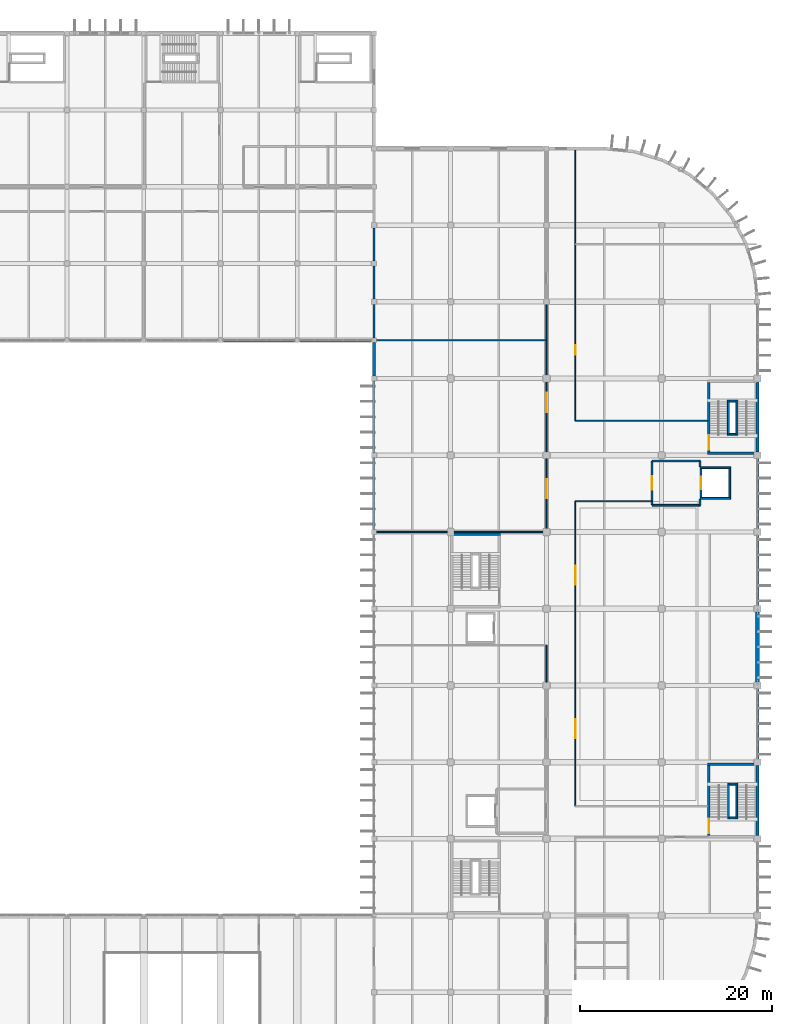
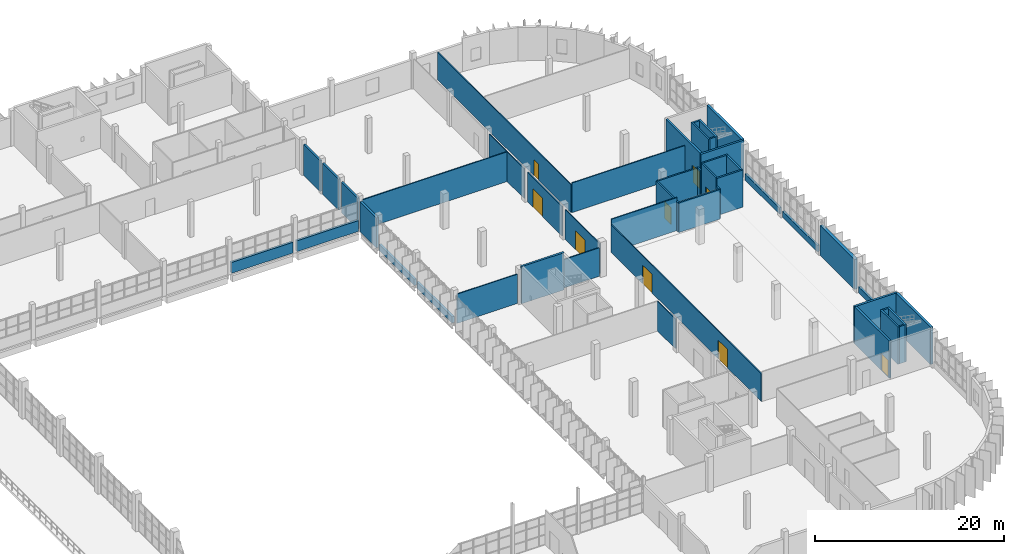
# One storey, part 75 of 93: 47 walls, 9 doors, 9 openings.
"""IFC4 building model written with IfcOpenShell, lengths in metres."""

from ifc_helpers import new_model, si_unit, direction, frame, frame_2d, origin, place, context, subcontext, project, spatial, rectangle, extrude, material, layer, layer_set, type_object, element, fill, save


model = new_model("IFC4")

# Units and contexts
model_context = context("Model", 3, precision=1e-05, world=origin(), true_north=direction((0.0, 1.0)))
body_context = subcontext(model_context, "Body", "Model", "MODEL_VIEW")
ifc_project = project(units=[si_unit("LENGTHUNIT", "METRE"), si_unit("AREAUNIT", "SQUARE_METRE"), si_unit("VOLUMEUNIT", "CUBIC_METRE"), si_unit("PLANEANGLEUNIT", "RADIAN"), si_unit("MASSUNIT", "GRAM", prefix="KILO")], contexts=[model_context])

# Site, building, storey
site_placement = place(None, origin())
site = spatial("IfcSite", under=ifc_project, at=site_placement, CompositionType="ELEMENT")
building_placement = place(site_placement, origin())
building = spatial("IfcBuilding", under=site, at=building_placement, Name="Drelvana Railside Aquatics Centre", CompositionType="ELEMENT")
storey_placement = place(building_placement, frame((0.0, 0.0, 5.39990234375)))
storey = spatial("IfcBuildingStorey", under=building, at=storey_placement, Name="L01", CompositionType="ELEMENT", Elevation=5.39990234375)

# Walls
ifc_material_1 = material(Name="Concrete blockwork compartment wall", Category="masonry")
ifc_layer_1 = layer(ifc_material_1, 0.18505859375, Name="Concrete blockwork compartment wall")
ifc_layer_set_1 = layer_set([ifc_layer_1], Name="Concrete blockwork compartment wall")
wall_type_1 = type_object("IfcWallType", Name="WL-COMP-185", PredefinedType="STANDARD", material=ifc_layer_set_1)
for number, where, z_axis, x_axis, name in (
    (1, (178.0, 66.800048828125, 0.0), (0.0, 0.0, 1.0), (-1.0, 0.0, 0.0), "Firefighting lobby FL-02 S wall (L01)"),
    (2, (173.0, 71.39990234375, 0.0), (0.0, 0.0, 1.0), (1.0, 0.0, 0.0), "Firefighting lobby FL-02 N wall (L01)"),
):
    element("IfcWall", number, at=place(storey_placement, frame(where, z_axis=z_axis, x_axis=x_axis)), inside=storey, type_object=wall_type_1, Name=name, PredefinedType="STANDARD", context=body_context, shape_type="SweptSolid", body=[
        extrude(rectangle(XDim=5.0, YDim=0.18505859375, at=frame_2d((2.5, 0.0))), origin(), (0.0, 0.0, 1.0), 3.830078125),
    ])

# Wall, opening, door
wall_1_placement = place(storey_placement, frame((173.0, 66.800048828125, 0.0), z_axis=(0.0, 0.0, 1.0), x_axis=(0.0, 1.0, 0.0)))
wall_1 = element("IfcWall", 3, at=wall_1_placement, inside=storey, type_object=wall_type_1, Name="Firefighting lobby FL-02 COR wall (L01)", PredefinedType="STANDARD", context=body_context, shape_type="SweptSolid", body=[
    extrude(rectangle(XDim=4.599853515625, YDim=0.18505859375, at=frame_2d((2.2998046875, 0.0))), origin(), (0.0, 0.0, 1.0), 3.830078125),
])
opening_1_placement = place(wall_1_placement, frame((1.60009765625, 0.0, 0.0)))
opening_1 = element("IfcOpeningElement", 4, at=opening_1_placement, cuts=wall_1, Name="Opening D-03-064", PredefinedType="OPENING", context=body_context, shape_type="SweptSolid", body=[
    extrude(rectangle(XDim=1.39990234375, YDim=2.199951171875, at=frame_2d((0.699951171875, 1.10009765625))), frame((0.0, 0.1025390625, 0.0), z_axis=(0.0, -1.0, 0.0), x_axis=(1.0, 0.0, 0.0)), (0.0, 0.0, 1.0), 0.205078125),
])
ifc_material_2 = material(Name="Firefighting lobby door", Category="wood")
door_type_1 = type_object("IfcDoorType", Name="DR-INT-FFLOB-1400x2200", OperationType="DOUBLE_DOOR_SINGLE_SWING", PredefinedType="DOOR", material=ifc_material_2)
door_1_placement = place(opening_1_placement, origin())
door_1 = element("IfcDoor", 5, at=door_1_placement, inside=storey, type_object=door_type_1, Name="Firefighting lobby FL-02 door D-03-064", OperationType="DOUBLE_DOOR_SINGLE_SWING", OverallHeight=2.199951171875, OverallWidth=1.39990234375, PredefinedType="DOOR", context=body_context, shape_type="SweptSolid", body=[
    extrude(rectangle(XDim=1.39990234375, YDim=2.199951171875, at=frame_2d((0.699951171875, 1.10009765625))), frame((0.0, 0.02490234375, 0.0), z_axis=(0.0, -1.0, 0.0), x_axis=(1.0, 0.0, 0.0)), (0.0, 0.0, 1.0), 0.050048828125),
])
fill(opening_1, door_1)

# Walls
for number, where, z_axis, x_axis, name in (
    (6, (178.0, 66.800048828125, 0.0), (0.0, 0.0, 1.0), (0.0, 1.0, 0.0), "Firefighting lobby FL-02 SHS wall (L01)"),
    (7, (178.0, 70.800048828125, 0.0), (0.0, 0.0, 1.0), (0.0, 1.0, 0.0), "Firefighting lobby FL-02 SHN wall (L01)"),
):
    element("IfcWall", number, at=place(storey_placement, frame(where, z_axis=z_axis, x_axis=x_axis)), inside=storey, type_object=wall_type_1, Name=name, PredefinedType="STANDARD", context=body_context, shape_type="SweptSolid", body=[
        extrude(rectangle(XDim=0.599853515625, YDim=0.18505859375, at=frame_2d((0.2998046875, 0.0))), origin(), (0.0, 0.0, 1.0), 3.830078125),
    ])
ifc_material_3 = material(Name="Autoclaved aerated concrete masonry", Category="masonry")
ifc_layer_2 = layer(ifc_material_3, 0.22509765625, Name="Autoclaved aerated concrete masonry")
ifc_layer_set_2 = layer_set([ifc_layer_2], Name="Autoclaved aerated concrete masonry")
wall_type_2 = type_object("IfcWallType", Name="WL-COMP-225", PredefinedType="STANDARD", material=ifc_layer_set_2)
for number, where, z_axis, x_axis, name in (
    (8, (144.0, 84.251953125, 0.0), (0.0, 0.0, 1.0), (0.0, 1.0, 0.0), "L01 Changing-Wing compartment wall"),
    (9, (144.0, 88.277099609375, 0.0), (0.0, 0.0, 1.0), (0.0, 1.0, 0.0), "L01 Changing-Wing compartment wall"),
    (10, (144.0, 92.251953125, 0.0), (0.0, 0.0, 1.0), (0.0, 1.0, 0.0), "L01 Changing-Wing compartment wall"),
):
    element("IfcWall", number, at=place(storey_placement, frame(where, z_axis=z_axis, x_axis=x_axis)), inside=storey, type_object=wall_type_2, Name=name, PredefinedType="STANDARD", context=body_context, shape_type="SweptSolid", body=[
        extrude(rectangle(XDim=3.470947265625, YDim=0.22509765625, at=frame_2d((1.7353515625, 0.0))), origin(), (0.0, 0.0, 1.0), 3.97998046875),
    ])
ifc_material_4 = material(Name="Concrete C40/50", Category="concrete")
ifc_layer_3 = layer(ifc_material_4, 0.25, Name="Concrete C40/50")
ifc_layer_set_3 = layer_set([ifc_layer_3], Name="Concrete C40/50")
wall_type_3 = type_object("IfcWallType", Name="WL-CORE-250", PredefinedType="SHEAR", material=ifc_layer_set_3)
wall_2_placement = place(storey_placement, frame((178.800048828125, 72.22509765625, 0.0), z_axis=(0.0, 0.0, 1.0), x_axis=(1.0, 0.0, 0.0)))
element("IfcWall", 11, at=wall_2_placement, inside=storey, type_object=wall_type_3, Name="Core 7 Federation Wing Avenue-East S core wall (L01)", PredefinedType="SHEAR", context=body_context, shape_type="SweptSolid", body=[
    extrude(rectangle(XDim=5.199951171875, YDim=0.25, at=frame_2d((2.60009765625, 0.0))), origin(), (0.0, 0.0, 1.0), 4.800048828125),
])

# Wall, opening, door
wall_3_placement = place(storey_placement, frame((178.925048828125, 72.35009765625, 0.0), z_axis=(0.0, 0.0, 1.0), x_axis=(0.0, 1.0, 0.0)))
wall_3 = element("IfcWall", 12, at=wall_3_placement, inside=storey, type_object=wall_type_3, Name="Core 7 Federation Wing Avenue-East W core wall (L01)", PredefinedType="SHEAR", context=body_context, shape_type="SweptSolid", body=[
    extrude(rectangle(XDim=7.239990234375, YDim=0.25, at=frame_2d((3.6201171875, 0.0))), origin(), (0.0, 0.0, 1.0), 4.800048828125),
])
opening_2_placement = place(wall_3_placement, frame((0.25, 0.0, 0.0)))
opening_2 = element("IfcOpeningElement", 13, at=opening_2_placement, cuts=wall_3, Name="Opening D-01-055", PredefinedType="OPENING", context=body_context, shape_type="SweptSolid", body=[
    extrude(rectangle(XDim=1.449951171875, YDim=2.199951171875, at=frame_2d((0.72509765625, 1.10009765625))), frame((0.0, 0.135009765625, 0.0), z_axis=(0.0, -1.0, 0.0), x_axis=(1.0, 0.0, 0.0)), (0.0, 0.0, 1.0), 0.27001953125),
])
ifc_material_5 = material(Name="Fire-rated steel and vision-panel door", Category="steel")
door_type_2 = type_object("IfcDoorType", Name="DR-INT-STAIR-1450x2200", OperationType="DOUBLE_DOOR_SINGLE_SWING", PredefinedType="DOOR", material=ifc_material_5)
door_2_placement = place(opening_2_placement, origin())
door_2 = element("IfcDoor", 14, at=door_2_placement, inside=storey, type_object=door_type_2, Name="Stair ST-07 lobby door D-01-055", OperationType="DOUBLE_DOOR_SINGLE_SWING", OverallHeight=2.199951171875, OverallWidth=1.449951171875, PredefinedType="DOOR", context=body_context, shape_type="SweptSolid", body=[
    extrude(rectangle(XDim=1.449951171875, YDim=2.199951171875, at=frame_2d((0.72509765625, 1.10009765625))), frame((0.0, 0.02490234375, 0.0), z_axis=(0.0, -1.0, 0.0), x_axis=(1.0, 0.0, 0.0)), (0.0, 0.0, 1.0), 0.050048828125),
])
fill(opening_2, door_2)

# Walls
for number, where, z_axis, x_axis, name in (
    (15, (152.0, 63.77490234375, 0.0), (0.0, 0.0, 1.0), (1.0, 0.0, 0.0), "Core 8 Federation Wing Central-West N core wall (L01)"),
    (16, (178.800048828125, 39.77490234375, 0.0), (0.0, 0.0, 1.0), (1.0, 0.0, 0.0), "Core 9 Federation Wing Avenue-South N core wall (L01)"),
):
    element("IfcWall", number, at=place(storey_placement, frame(where, z_axis=z_axis, x_axis=x_axis)), inside=storey, type_object=wall_type_3, Name=name, PredefinedType="SHEAR", context=body_context, shape_type="SweptSolid", body=[
        extrude(rectangle(XDim=5.199951171875, YDim=0.25, at=frame_2d((2.60009765625, 0.0))), origin(), (0.0, 0.0, 1.0), 4.800048828125),
    ])

# Wall, opening, door
wall_4_placement = place(storey_placement, frame((178.925048828125, 32.35009765625, 0.0), z_axis=(0.0, 0.0, 1.0), x_axis=(0.0, 1.0, 0.0)))
wall_4 = element("IfcWall", 17, at=wall_4_placement, inside=storey, type_object=wall_type_3, Name="Core 9 Federation Wing Avenue-South W core wall (L01)", PredefinedType="SHEAR", context=body_context, shape_type="SweptSolid", body=[
    extrude(rectangle(XDim=7.2998046875, YDim=0.25, at=frame_2d((3.64990234375, 0.0))), origin(), (0.0, 0.0, 1.0), 4.800048828125),
])
opening_3_placement = place(wall_4_placement, frame((0.25, 0.0, 0.0)))
opening_3 = element("IfcOpeningElement", 18, at=opening_3_placement, cuts=wall_4, Name="Opening D-01-085", PredefinedType="OPENING", context=body_context, shape_type="SweptSolid", body=[
    extrude(rectangle(XDim=1.449951171875, YDim=2.199951171875, at=frame_2d((0.72509765625, 1.10009765625))), frame((0.0, 0.135009765625, 0.0), z_axis=(0.0, -1.0, 0.0), x_axis=(1.0, 0.0, 0.0)), (0.0, 0.0, 1.0), 0.27001953125),
])
door_3_placement = place(opening_3_placement, origin())
door_3 = element("IfcDoor", 19, at=door_3_placement, inside=storey, type_object=door_type_2, Name="Stair ST-09 lobby door D-01-085", OperationType="DOUBLE_DOOR_SINGLE_SWING", OverallHeight=2.199951171875, OverallWidth=1.449951171875, PredefinedType="DOOR", context=body_context, shape_type="SweptSolid", body=[
    extrude(rectangle(XDim=1.449951171875, YDim=2.199951171875, at=frame_2d((0.72509765625, 1.10009765625))), frame((0.0, 0.02490234375, 0.0), z_axis=(0.0, -1.0, 0.0), x_axis=(1.0, 0.0, 0.0)), (0.0, 0.0, 1.0), 0.050048828125),
])
fill(opening_3, door_3)

# Walls
ifc_layer_4 = layer(ifc_material_4, 0.300048828125, Name="Concrete C40/50")
ifc_layer_set_4 = layer_set([ifc_layer_4], Name="Concrete C40/50")
wall_type_4 = type_object("IfcWallType", Name="WL-CORE-300", PredefinedType="SHEAR", material=ifc_layer_set_4)
for number, where, z_axis, x_axis, name in (
    (20, (184.0, 32.345947265625, 0.0), (0.0, 0.0, 1.0), (0.0, 1.0, 0.0), "Core east avenue shear wall 32 (L01)"),
    (21, (184.0, 72.345947265625, 0.0), (0.0, 0.0, 1.0), (0.0, 1.0, 0.0), "Core east avenue shear wall 72 (L01)"),
):
    element("IfcWall", number, at=place(storey_placement, frame(where, z_axis=z_axis, x_axis=x_axis)), inside=storey, type_object=wall_type_4, Name=name, PredefinedType="SHEAR", context=body_context, shape_type="SweptSolid", body=[
        extrude(rectangle(XDim=7.30810546875, YDim=0.300048828125, at=frame_2d((3.654052734375, 0.0))), origin(), (0.0, 0.0, 1.0), 4.800048828125),
    ])
ifc_material_6 = material(Name="Acoustic twin-stud gypsum partition", Category="gypsum")
ifc_layer_5 = layer(ifc_material_6, 0.1201171875, Name="Acoustic twin-stud gypsum partition")
ifc_layer_set_5 = layer_set([ifc_layer_5], Name="Acoustic twin-stud gypsum partition")
wall_type_5 = type_object("IfcWallType", Name="WL-DRY-120", PredefinedType="PARTITIONING", material=ifc_layer_set_5)
wall_5_placement = place(storey_placement, frame((162.0, 48.35205078125, 0.0), z_axis=(0.0, 0.0, 1.0), x_axis=(0.0, 1.0, 0.0)))
element("IfcWall", 22, at=wall_5_placement, inside=storey, type_object=wall_type_5, Name="V5 L01 west corridor wall", PredefinedType="PARTITIONING", context=body_context, shape_type="SweptSolid", body=[
    extrude(rectangle(XDim=3.847900390625, YDim=0.1201171875, at=frame_2d((1.923828125, 0.0))), origin(), (0.0, 0.0, 1.0), 3.830078125),
])

# Wall, opening, door
wall_6_placement = place(storey_placement, frame((162.0, 64.35205078125, 0.0), z_axis=(0.0, 0.0, 1.0), x_axis=(0.0, 1.0, 0.0)))
wall_6 = element("IfcWall", 23, at=wall_6_placement, inside=storey, type_object=wall_type_5, Name="V5 L01 west corridor wall", PredefinedType="PARTITIONING", context=body_context, shape_type="SweptSolid", body=[
    extrude(rectangle(XDim=7.2958984375, YDim=0.1201171875, at=frame_2d((3.64794921875, 0.0))), origin(), (0.0, 0.0, 1.0), 3.830078125),
])
opening_4_placement = place(wall_6_placement, frame((3.14794921875, 0.0, 0.0)))
opening_4 = element("IfcOpeningElement", 24, at=opening_4_placement, cuts=wall_6, Name="Opening D-06-213", PredefinedType="OPENING", context=body_context, shape_type="SweptSolid", body=[
    extrude(rectangle(XDim=2.0, YDim=2.39990234375, at=frame_2d((1.0, 1.199951171875))), frame((0.0, 0.070068359375, 0.0), z_axis=(0.0, -1.0, 0.0), x_axis=(1.0, 0.0, 0.0)), (0.0, 0.0, 1.0), 0.14013671875),
])
ifc_material_7 = material(Name="Glazed bronze-aluminium concourse door", Category="aluminium")
door_type_3 = type_object("IfcDoorType", Name="DR-INT-HALL-2000x2400", OperationType="DOUBLE_DOOR_SINGLE_SWING", PredefinedType="DOOR", material=ifc_material_7)
door_4_placement = place(opening_4_placement, origin())
door_4 = element("IfcDoor", 25, at=door_4_placement, inside=storey, type_object=door_type_3, Name="Dive conditioning south door D-06-213", OperationType="DOUBLE_DOOR_SINGLE_SWING", OverallHeight=2.39990234375, OverallWidth=2.0, PredefinedType="DOOR", context=body_context, shape_type="SweptSolid", body=[
    extrude(rectangle(XDim=2.0, YDim=2.39990234375, at=frame_2d((1.0, 1.199951171875))), frame((0.0, 0.02490234375, 0.0), z_axis=(0.0, -1.0, 0.0), x_axis=(1.0, 0.0, 0.0)), (0.0, 0.0, 1.0), 0.050048828125),
])
fill(opening_4, door_4)

wall_7_placement = place(storey_placement, frame((162.0, 72.35205078125, 0.0), z_axis=(0.0, 0.0, 1.0), x_axis=(0.0, 1.0, 0.0)))
wall_7 = element("IfcWall", 26, at=wall_7_placement, inside=storey, type_object=wall_type_5, Name="V5 L01 west corridor wall", PredefinedType="PARTITIONING", context=body_context, shape_type="SweptSolid", body=[
    extrude(rectangle(XDim=7.2958984375, YDim=0.1201171875, at=frame_2d((3.64794921875, 0.0))), origin(), (0.0, 0.0, 1.0), 3.830078125),
])
opening_5_placement = place(wall_7_placement, frame((4.14794921875, 0.0, 0.0)))
opening_5 = element("IfcOpeningElement", 27, at=opening_5_placement, cuts=wall_7, Name="Opening D-06-214", PredefinedType="OPENING", context=body_context, shape_type="SweptSolid", body=[
    extrude(rectangle(XDim=2.0, YDim=2.39990234375, at=frame_2d((1.0, 1.199951171875))), frame((0.0, 0.070068359375, 0.0), z_axis=(0.0, -1.0, 0.0), x_axis=(1.0, 0.0, 0.0)), (0.0, 0.0, 1.0), 0.14013671875),
])
door_5_placement = place(opening_5_placement, origin())
door_5 = element("IfcDoor", 28, at=door_5_placement, inside=storey, type_object=door_type_3, Name="Dive conditioning north door D-06-214", OperationType="DOUBLE_DOOR_SINGLE_SWING", OverallHeight=2.39990234375, OverallWidth=2.0, PredefinedType="DOOR", context=body_context, shape_type="SweptSolid", body=[
    extrude(rectangle(XDim=2.0, YDim=2.39990234375, at=frame_2d((1.0, 1.199951171875))), frame((0.0, 0.02490234375, 0.0), z_axis=(0.0, -1.0, 0.0), x_axis=(1.0, 0.0, 0.0)), (0.0, 0.0, 1.0), 0.050048828125),
])
fill(opening_5, door_5)

# Walls
wall_8_placement = place(storey_placement, frame((162.0, 80.35205078125, 0.0), z_axis=(0.0, 0.0, 1.0), x_axis=(0.0, 1.0, 0.0)))
element("IfcWall", 29, at=wall_8_placement, inside=storey, type_object=wall_type_5, Name="V5 L01 west corridor wall", PredefinedType="PARTITIONING", context=body_context, shape_type="SweptSolid", body=[
    extrude(rectangle(XDim=7.370849609375, YDim=0.1201171875, at=frame_2d((3.685546875, 0.0))), origin(), (0.0, 0.0, 1.0), 3.830078125),
])
wall_9_placement = place(storey_placement, frame((144.277099609375, 64.0, 0.0), z_axis=(0.0, 0.0, 1.0), x_axis=(1.0, 0.0, 0.0)))
element("IfcWall", 30, at=wall_9_placement, inside=storey, type_object=wall_type_5, Name="V5 L01 C8 alcove N wall", PredefinedType="PARTITIONING", context=body_context, shape_type="SweptSolid", body=[
    extrude(rectangle(XDim=7.370849609375, YDim=0.1201171875, at=frame_2d((3.685546875, 0.0))), origin(), (0.0, 0.0, 1.0), 3.780029296875),
])
wall_10_placement = place(storey_placement, frame((152.35205078125, 64.0, 0.0), z_axis=(0.0, 0.0, 1.0), x_axis=(1.0, 0.0, 0.0)))
element("IfcWall", 31, at=wall_10_placement, inside=storey, type_object=wall_type_5, Name="V5 L01 C8 alcove N wall", PredefinedType="PARTITIONING", context=body_context, shape_type="SweptSolid", body=[
    extrude(rectangle(XDim=9.2958984375, YDim=0.1201171875, at=frame_2d((4.64794921875, 0.0))), origin(), (0.0, 0.0, 1.0), 3.68017578125),
])
wall_11_placement = place(storey_placement, frame((144.251953125, 84.0, 0.0), z_axis=(0.0, 0.0, 1.0), x_axis=(1.0, 0.0, 0.0)))
element("IfcWall", 32, at=wall_11_placement, inside=storey, type_object=wall_type_5, Name="V5 L01 west room divider", PredefinedType="PARTITIONING", context=body_context, shape_type="SweptSolid", body=[
    extrude(rectangle(XDim=17.748046875, YDim=0.1201171875, at=frame_2d((8.8740234375, 0.0))), origin(), (0.0, 0.0, 1.0), 3.830078125),
])

# Wall, openings, doors
wall_12_placement = place(storey_placement, frame((165.0, 35.39990234375, 0.0), z_axis=(0.0, 0.0, 1.0), x_axis=(0.0, 1.0, 0.0)))
wall_12 = element("IfcWall", 33, at=wall_12_placement, inside=storey, type_object=wall_type_5, Name="V5 L01 east corridor wall", PredefinedType="PARTITIONING", context=body_context, shape_type="SweptSolid", body=[
    extrude(rectangle(XDim=31.800048828125, YDim=0.1201171875, at=frame_2d((15.89990234375, 0.0))), origin(), (0.0, 0.0, 1.0), 3.580078125),
])
opening_6_placement = place(wall_12_placement, frame((7.10009765625, 0.0, 0.0)))
opening_6 = element("IfcOpeningElement", 34, at=opening_6_placement, cuts=wall_12, Name="Opening D-06-219", PredefinedType="OPENING", context=body_context, shape_type="SweptSolid", body=[
    extrude(rectangle(XDim=2.0, YDim=2.39990234375, at=frame_2d((1.0, 1.199951171875))), frame((0.0, 0.070068359375, 0.0), z_axis=(0.0, -1.0, 0.0), x_axis=(1.0, 0.0, 0.0)), (0.0, 0.0, 1.0), 0.14013671875),
])
opening_7_placement = place(wall_12_placement, frame((23.10009765625, 0.0, 0.0)))
opening_7 = element("IfcOpeningElement", 35, at=opening_7_placement, cuts=wall_12, Name="Opening D-06-220", PredefinedType="OPENING", context=body_context, shape_type="SweptSolid", body=[
    extrude(rectangle(XDim=2.0, YDim=2.39990234375, at=frame_2d((1.0, 1.199951171875))), frame((0.0, 0.070068359375, 0.0), z_axis=(0.0, -1.0, 0.0), x_axis=(1.0, 0.0, 0.0)), (0.0, 0.0, 1.0), 0.14013671875),
])
door_6_placement = place(opening_6_placement, origin())
door_6 = element("IfcDoor", 36, at=door_6_placement, inside=storey, type_object=door_type_3, Name="Fitness gymnasium south door D-06-219", OperationType="DOUBLE_DOOR_SINGLE_SWING", OverallHeight=2.39990234375, OverallWidth=2.0, PredefinedType="DOOR", context=body_context, shape_type="SweptSolid", body=[
    extrude(rectangle(XDim=2.0, YDim=2.39990234375, at=frame_2d((1.0, 1.199951171875))), frame((0.0, 0.02490234375, 0.0), z_axis=(0.0, -1.0, 0.0), x_axis=(1.0, 0.0, 0.0)), (0.0, 0.0, 1.0), 0.050048828125),
])
fill(opening_6, door_6)
door_7_placement = place(opening_7_placement, origin())
door_7 = element("IfcDoor", 37, at=door_7_placement, inside=storey, type_object=door_type_3, Name="Fitness gymnasium north door D-06-220", OperationType="DOUBLE_DOOR_SINGLE_SWING", OverallHeight=2.39990234375, OverallWidth=2.0, PredefinedType="DOOR", context=body_context, shape_type="SweptSolid", body=[
    extrude(rectangle(XDim=2.0, YDim=2.39990234375, at=frame_2d((1.0, 1.199951171875))), frame((0.0, 0.02490234375, 0.0), z_axis=(0.0, -1.0, 0.0), x_axis=(1.0, 0.0, 0.0)), (0.0, 0.0, 1.0), 0.050048828125),
])
fill(opening_7, door_7)

# Wall, opening, door
wall_13_placement = place(storey_placement, frame((165.0, 75.60009765625, 0.0), z_axis=(0.0, 0.0, 1.0), x_axis=(0.0, 1.0, 0.0)))
wall_13 = element("IfcWall", 38, at=wall_13_placement, inside=storey, type_object=wall_type_5, Name="V5 L01 east corridor wall", PredefinedType="PARTITIONING", context=body_context, shape_type="SweptSolid", body=[
    extrude(rectangle(XDim=28.25, YDim=0.1201171875, at=frame_2d((14.125, 0.0))), origin(), (0.0, 0.0, 1.0), 3.580078125),
])
opening_8_placement = place(wall_13_placement, frame((6.89990234375, 0.0, 0.0)))
opening_8 = element("IfcOpeningElement", 39, at=opening_8_placement, cuts=wall_13, Name="Opening D-13-221", PredefinedType="OPENING", context=body_context, shape_type="SweptSolid", body=[
    extrude(rectangle(XDim=0.97998046875, YDim=2.10009765625, at=frame_2d((0.489990234375, 1.050048828125))), frame((0.0, 0.070068359375, 0.0), z_axis=(0.0, -1.0, 0.0), x_axis=(1.0, 0.0, 0.0)), (0.0, 0.0, 1.0), 0.14013671875),
])
ifc_material_8 = material(Name="Equipment store door", Category="wood")
door_type_4 = type_object("IfcDoorType", Name="DR-INT-STR-980x2100", OperationType="NOTDEFINED", PredefinedType="DOOR", material=ifc_material_8)
door_8_placement = place(opening_8_placement, origin())
door_8 = element("IfcDoor", 40, at=door_8_placement, inside=storey, type_object=door_type_4, Name="Gym equipment store door D-13-221", OperationType="SINGLE_SWING_RIGHT", OverallHeight=2.10009765625, OverallWidth=0.97998046875, PredefinedType="DOOR", context=body_context, shape_type="SweptSolid", body=[
    extrude(rectangle(XDim=0.97998046875, YDim=2.10009765625, at=frame_2d((0.489990234375, 1.050048828125))), frame((0.0, 0.02490234375, 0.0), z_axis=(0.0, -1.0, 0.0), x_axis=(1.0, 0.0, 0.0)), (0.0, 0.0, 1.0), 0.050048828125),
])
fill(opening_8, door_8)

# Walls
wall_14_placement = place(storey_placement, frame((165.0, 67.199951171875, 0.0), z_axis=(0.0, 0.0, 1.0), x_axis=(1.0, 0.0, 0.0)))
element("IfcWall", 41, at=wall_14_placement, inside=storey, type_object=wall_type_5, Name="L01 C7 branch S wall", PredefinedType="PARTITIONING", context=body_context, shape_type="SweptSolid", body=[
    extrude(rectangle(XDim=8.0, YDim=0.1201171875, at=frame_2d((4.0, 0.0))), origin(), (0.0, 0.0, 1.0), 4.260009765625),
])
wall_15_placement = place(storey_placement, frame((165.0, 75.60009765625, 0.0), z_axis=(0.0, 0.0, 1.0), x_axis=(1.0, 0.0, 0.0)))
element("IfcWall", 42, at=wall_15_placement, inside=storey, type_object=wall_type_5, Name="L01 C7 branch N wall", PredefinedType="PARTITIONING", context=body_context, shape_type="SweptSolid", body=[
    extrude(rectangle(XDim=13.800048828125, YDim=0.1201171875, at=frame_2d((6.89990234375, 0.0))), origin(), (0.0, 0.0, 1.0), 3.830078125),
])
ifc_material_9 = material(Name="Glazed ceramic spandrel wall", Category="masonry")
ifc_layer_6 = layer(ifc_material_9, 0.27001953125, Name="Glazed ceramic spandrel wall")
ifc_layer_set_6 = layer_set([ifc_layer_6], Name="Glazed ceramic spandrel wall")
wall_type_6 = type_object("IfcWallType", Name="WL-EXT-270", PredefinedType="STANDARD", material=ifc_layer_set_6)
for number, where, z_axis, x_axis, name in (
    (43, (144.0, 64.27099609375, 0.0), (0.0, 0.0, 1.0), (0.0, 1.0, 0.0), "V5 West L01 sill spandrel"),
    (44, (144.0, 72.27099609375, 0.0), (0.0, 0.0, 1.0), (0.0, 1.0, 0.0), "V5 West L01 sill spandrel"),
):
    element("IfcWall", number, at=place(storey_placement, frame(where, z_axis=z_axis, x_axis=x_axis)), inside=storey, type_object=wall_type_6, Name=name, PredefinedType="STANDARD", context=body_context, shape_type="SweptSolid", body=[
        extrude(rectangle(XDim=7.4580078125, YDim=0.27001953125, at=frame_2d((3.72900390625, 0.0))), origin(), (0.0, 0.0, 1.0), 0.800048828125),
    ])
for number, where, z_axis, x_axis, name in (
    (45, (184.0, 40.345947265625, 0.0), (0.0, 0.0, 1.0), (0.0, 1.0, 0.0), "V5 East L01 sill spandrel"),
    (46, (184.0, 56.345947265625, 0.0), (0.0, 0.0, 1.0), (0.0, 1.0, 0.0), "V5 East L01 sill spandrel"),
    (47, (184.0, 64.345947265625, 0.0), (0.0, 0.0, 1.0), (0.0, 1.0, 0.0), "V5 East L01 sill spandrel"),
):
    element("IfcWall", number, at=place(storey_placement, frame(where, z_axis=z_axis, x_axis=x_axis)), inside=storey, type_object=wall_type_6, Name=name, PredefinedType="STANDARD", context=body_context, shape_type="SweptSolid", body=[
        extrude(rectangle(XDim=7.30810546875, YDim=0.27001953125, at=frame_2d((3.654052734375, 0.0))), origin(), (0.0, 0.0, 1.0), 0.800048828125),
    ])
ifc_material_10 = material(Name="Glazed ceramic and masonry facade wall", Category="masonry")
ifc_layer_7 = layer(ifc_material_10, 0.2900390625, Name="Glazed ceramic and masonry facade wall")
ifc_layer_set_7 = layer_set([ifc_layer_7], Name="Glazed ceramic and masonry facade wall")
wall_type_7 = type_object("IfcWallType", Name="WL-EXT-290", PredefinedType="STANDARD", material=ifc_layer_set_7)
for number, where, z_axis, x_axis, name in (
    (48, (128.24609375, 84.0, 0.0), (0.0, 0.0, 1.0), (1.0, 0.0, 0.0), "Upper changing sill wall"),
    (49, (136.24609375, 84.0, 0.0), (0.0, 0.0, 1.0), (1.0, 0.0, 0.0), "Upper changing sill wall"),
):
    element("IfcWall", number, at=place(storey_placement, frame(where, z_axis=z_axis, x_axis=x_axis)), inside=storey, type_object=wall_type_7, Name=name, PredefinedType="STANDARD", context=body_context, shape_type="SweptSolid", body=[
        extrude(rectangle(XDim=7.5078125, YDim=0.2900390625, at=frame_2d((3.75390625, 0.0))), origin(), (0.0, 0.0, 1.0), 1.400146484375),
    ])
wall_16_placement = place(storey_placement, frame((144.0, 80.27099609375, 0.0), z_axis=(0.0, 0.0, 1.0), x_axis=(0.0, 1.0, 0.0)))
element("IfcWall", 50, at=wall_16_placement, inside=storey, type_object=wall_type_7, Name="V5 West pier wall 80", PredefinedType="STANDARD", context=body_context, shape_type="SweptSolid", body=[
    extrude(rectangle(XDim=3.48291015625, YDim=0.2900390625, at=frame_2d((1.741455078125, 0.0))), origin(), (0.0, 0.0, 1.0), 3.85009765625),
])
ifc_material_11 = material(Name="Heavy thermal-mass stone facade wall", Category="masonry")
ifc_layer_8 = layer(ifc_material_11, 0.389892578125, Name="Heavy thermal-mass stone facade wall")
ifc_layer_set_8 = layer_set([ifc_layer_8], Name="Heavy thermal-mass stone facade wall")
wall_type_8 = type_object("IfcWallType", Name="WL-EXT-390", PredefinedType="STANDARD", material=ifc_layer_set_8)
wall_17_placement = place(storey_placement, frame((184.0, 48.345947265625, 0.0), z_axis=(0.0, 0.0, 1.0), x_axis=(0.0, 1.0, 0.0)))
element("IfcWall", 51, at=wall_17_placement, inside=storey, type_object=wall_type_8, Name="V5 East braced masonry bay (L01)", PredefinedType="STANDARD", context=body_context, shape_type="SweptSolid", body=[
    extrude(rectangle(XDim=7.30810546875, YDim=0.389892578125, at=frame_2d((3.654052734375, 0.0))), origin(), (0.0, 0.0, 1.0), 3.85009765625),
])
ifc_layer_9 = layer(ifc_material_4, 0.199951171875, Name="Concrete C40/50")
ifc_layer_set_9 = layer_set([ifc_layer_9], Name="Concrete C40/50")
wall_type_9 = type_object("IfcWallType", Name="WL-SHFT-200", PredefinedType="SHEAR", material=ifc_layer_set_9)
for number, where, z_axis, x_axis, name in (
    (52, (180.949951171875, 74.090087890625, 0.0), (0.0, 0.0, 1.0), (0.0, 1.0, 0.0), "Stair ST-07 central spine wall A (L01)"),
    (53, (181.85009765625, 74.090087890625, 0.0), (0.0, 0.0, 1.0), (0.0, 1.0, 0.0), "Stair ST-07 central spine wall B (L01)"),
):
    element("IfcWall", number, at=place(storey_placement, frame(where, z_axis=z_axis, x_axis=x_axis)), inside=storey, type_object=wall_type_9, Name=name, PredefinedType="SHEAR", context=body_context, shape_type="SweptSolid", body=[
        extrude(rectangle(XDim=3.659912109375, YDim=0.199951171875, at=frame_2d((1.830078125, 0.0))), origin(), (0.0, 0.0, 1.0), 4.800048828125),
    ])
for number, where, z_axis, x_axis, name in (
    (54, (181.050048828125, 74.18994140625, 0.0), (0.0, 0.0, 1.0), (1.0, 0.0, 0.0), "Stair ST-07 central spine wall S (L01)"),
    (55, (181.050048828125, 77.64990234375, 0.0), (0.0, 0.0, 1.0), (1.0, 0.0, 0.0), "Stair ST-07 central spine wall N (L01)"),
):
    element("IfcWall", number, at=place(storey_placement, frame(where, z_axis=z_axis, x_axis=x_axis)), inside=storey, type_object=wall_type_9, Name=name, PredefinedType="SHEAR", context=body_context, shape_type="SweptSolid", body=[
        extrude(rectangle(XDim=0.699951171875, YDim=0.199951171875, at=frame_2d((0.35009765625, 0.0))), origin(), (0.0, 0.0, 1.0), 4.800048828125),
    ])
for number, where, z_axis, x_axis, name in (
    (56, (178.0, 67.5, 0.0), (0.0, 0.0, 1.0), (1.0, 0.0, 0.0), "Lift FL-02 S shaft wall (L01)"),
    (57, (178.0, 70.699951171875, 0.0), (0.0, 0.0, 1.0), (1.0, 0.0, 0.0), "Lift FL-02 N shaft wall (L01)"),
):
    element("IfcWall", number, at=place(storey_placement, frame(where, z_axis=z_axis, x_axis=x_axis)), inside=storey, type_object=wall_type_9, Name=name, PredefinedType="SHEAR", context=body_context, shape_type="SweptSolid", body=[
        extrude(rectangle(XDim=3.199951171875, YDim=0.199951171875, at=frame_2d((1.60009765625, 0.0))), origin(), (0.0, 0.0, 1.0), 4.800048828125),
    ])

# Wall, opening, door
wall_18_placement = place(storey_placement, frame((178.10009765625, 67.60009765625, 0.0), z_axis=(0.0, 0.0, 1.0), x_axis=(0.0, 1.0, 0.0)))
wall_18 = element("IfcWall", 58, at=wall_18_placement, inside=storey, type_object=wall_type_9, Name="Lift FL-02 W shaft wall (L01)", PredefinedType="SHEAR", context=body_context, shape_type="SweptSolid", body=[
    extrude(rectangle(XDim=3.0, YDim=0.199951171875, at=frame_2d((1.5, 0.0))), origin(), (0.0, 0.0, 1.0), 4.800048828125),
])
opening_9_placement = place(wall_18_placement, frame((0.85009765625, 0.0, 0.0)))
opening_9 = element("IfcOpeningElement", 59, at=opening_9_placement, cuts=wall_18, Name="Opening LD-02-063", PredefinedType="OPENING", context=body_context, shape_type="SweptSolid", body=[
    extrude(rectangle(XDim=1.300048828125, YDim=2.300048828125, at=frame_2d((0.64990234375, 1.14990234375))), frame((0.0, 0.10986328125, 0.0), z_axis=(0.0, -1.0, 0.0), x_axis=(1.0, 0.0, 0.0)), (0.0, 0.0, 1.0), 0.219970703125),
])
ifc_material_12 = material(Name="Firefighting & goods lift sliding door", Category="wood")
door_type_5 = type_object("IfcDoorType", Name="DR-LIFT-LD-1300x2300", OperationType="SLIDING_TO_RIGHT", PredefinedType="DOOR", material=ifc_material_12)
door_9_placement = place(opening_9_placement, origin())
door_9 = element("IfcDoor", 60, at=door_9_placement, inside=storey, type_object=door_type_5, Name="Lift FL-02 landing door LD-02-063", OperationType="SLIDING_TO_RIGHT", OverallHeight=2.300048828125, OverallWidth=1.300048828125, PredefinedType="DOOR", context=body_context, shape_type="SweptSolid", body=[
    extrude(rectangle(XDim=1.300048828125, YDim=2.300048828125, at=frame_2d((0.64990234375, 1.14990234375))), frame((0.0, 0.02490234375, 0.0), z_axis=(0.0, -1.0, 0.0), x_axis=(1.0, 0.0, 0.0)), (0.0, 0.0, 1.0), 0.050048828125),
])
fill(opening_9, door_9)

# Walls
wall_19_placement = place(storey_placement, frame((181.10009765625, 67.60009765625, 0.0), z_axis=(0.0, 0.0, 1.0), x_axis=(0.0, 1.0, 0.0)))
element("IfcWall", 61, at=wall_19_placement, inside=storey, type_object=wall_type_9, Name="Lift FL-02 E shaft wall (L01)", PredefinedType="SHEAR", context=body_context, shape_type="SweptSolid", body=[
    extrude(rectangle(XDim=3.0, YDim=0.199951171875, at=frame_2d((1.5, 0.0))), origin(), (0.0, 0.0, 1.0), 4.800048828125),
])
for number, where, z_axis, x_axis, name in (
    (62, (180.969970703125, 34.090087890625, 0.0), (0.0, 0.0, 1.0), (0.0, 1.0, 0.0), "Stair ST-09 central spine wall A (L01)"),
    (63, (181.830078125, 34.090087890625, 0.0), (0.0, 0.0, 1.0), (0.0, 1.0, 0.0), "Stair ST-09 central spine wall B (L01)"),
):
    element("IfcWall", number, at=place(storey_placement, frame(where, z_axis=z_axis, x_axis=x_axis)), inside=storey, type_object=wall_type_9, Name=name, PredefinedType="SHEAR", context=body_context, shape_type="SweptSolid", body=[
        extrude(rectangle(XDim=3.719970703125, YDim=0.199951171875, at=frame_2d((1.85986328125, 0.0))), origin(), (0.0, 0.0, 1.0), 4.800048828125),
    ])
for number, where, z_axis, x_axis, name in (
    (64, (181.070068359375, 34.18994140625, 0.0), (0.0, 0.0, 1.0), (1.0, 0.0, 0.0), "Stair ST-09 central spine wall S (L01)"),
    (65, (181.070068359375, 37.7099609375, 0.0), (0.0, 0.0, 1.0), (1.0, 0.0, 0.0), "Stair ST-09 central spine wall N (L01)"),
):
    element("IfcWall", number, at=place(storey_placement, frame(where, z_axis=z_axis, x_axis=x_axis)), inside=storey, type_object=wall_type_9, Name=name, PredefinedType="SHEAR", context=body_context, shape_type="SweptSolid", body=[
        extrude(rectangle(XDim=0.659912109375, YDim=0.199951171875, at=frame_2d((0.330078125, 0.0))), origin(), (0.0, 0.0, 1.0), 4.800048828125),
    ])

save(model, "model.ifc")
